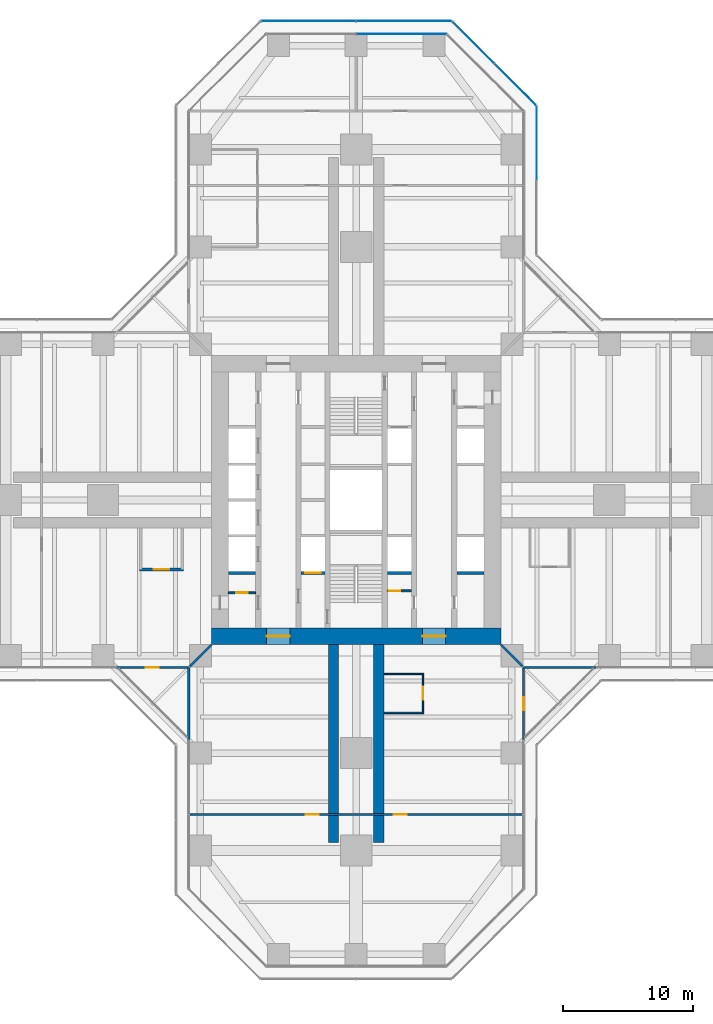
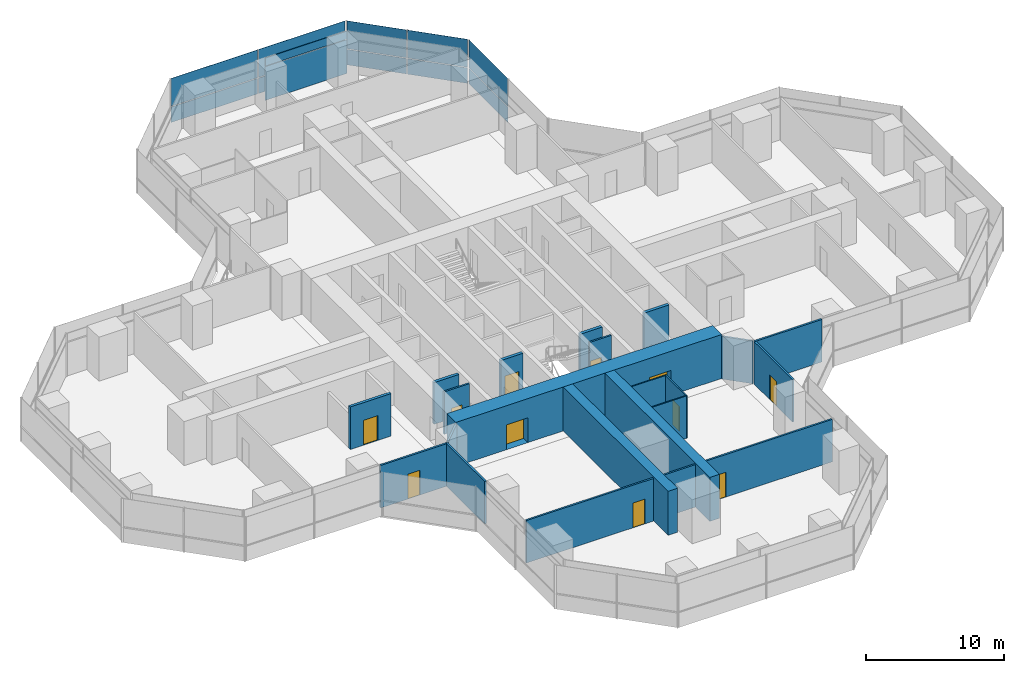
# One storey, part 17 of 22: 20 walls, 12 plates, 11 doors, 11 openings, 4 elements without a shape of their own.
"""IFC4 building model written with IfcOpenShell, lengths in metres."""

from ifc_helpers import new_model, si_unit, direction, frame, frame_2d, origin, origin_2d, place, context, subcontext, project, spatial, rectangle, extrude, material, layer, layer_set, type_object, element, fill, aggregate, save


model = new_model("IFC4")

# Units and contexts
model_context = context("Model", 3, precision=1e-05, world=origin(), true_north=direction((0.0, 1.0)))
body_context = subcontext(model_context, "Body", "Model", "MODEL_VIEW")
ifc_project = project(units=[si_unit("LENGTHUNIT", "METRE"), si_unit("AREAUNIT", "SQUARE_METRE"), si_unit("VOLUMEUNIT", "CUBIC_METRE"), si_unit("PLANEANGLEUNIT", "RADIAN"), si_unit("MASSUNIT", "GRAM", prefix="KILO")], contexts=[model_context])

# Site, building, storey
site_placement = place(None, origin())
site = spatial("IfcSite", under=ifc_project, at=site_placement, CompositionType="ELEMENT")
building_placement = place(site_placement, origin())
building = spatial("IfcBuilding", under=site, at=building_placement, Name="Mizan Broadcast Tower", CompositionType="ELEMENT")
storey_placement = place(building_placement, frame((0.0, 0.0, 109.800048828125)))
storey = spatial("IfcBuildingStorey", under=building, at=storey_placement, Name="L24", CompositionType="ELEMENT", Elevation=109.800048828125)

# Curtain wall, plates
ifc_material_1 = material(Name="Aluminium framed glazing", Category="aluminium")
curtain_wall_type_1 = type_object("IfcCurtainWallType", Name="INNER SKIN LOW ZONE", PredefinedType="USERDEFINED", material=ifc_material_1)
curtain_wall_1_placement = place(storey_placement, origin())
curtain_wall_1 = element("IfcCurtainWall", 1, at=curtain_wall_1_placement, inside=storey, type_object=curtain_wall_type_1, Name="Inner skin low zone L24 N end", ObjectType="INNER SKIN LOW ZONE", PredefinedType="USERDEFINED")
ifc_material_2 = material(Name="Double glazing, clear low-e", Category="glass")
ifc_layer_1 = layer(ifc_material_2, 0.028076171875)
ifc_layer_set_1 = layer_set([ifc_layer_1], Name="Double glazing, clear low-e")
plate_type_1 = type_object("IfcPlateType", Name="INNER SKIN GLAZING UNIT", PredefinedType="CURTAIN_PANEL", material=ifc_layer_set_1)
plate_1_placement = place(storey_placement, frame((3.46435546875, 35.89990234375, 0.0), z_axis=(0.0, 0.0, 1.0), x_axis=(-1.0, 0.0, 0.0)))
plate_1 = element("IfcPlate", 2, at=plate_1_placement, type_object=plate_type_1, Name="Inner skin low zone L24 N end panel 1.1", PredefinedType="CURTAIN_PANEL", context=body_context, shape_type="SweptSolid", body=[
    extrude(rectangle(XDim=6.86865234375, YDim=0.028076171875, at=origin_2d()), origin(), (0.0, 0.0, 1.0), 3.0),
])
ifc_material_3 = material(Name="Insulated aluminium spandrel panel, pale anodised", Category="aluminium")
ifc_layer_2 = layer(ifc_material_3, 0.050048828125)
ifc_layer_set_2 = layer_set([ifc_layer_2], Name="Insulated aluminium spandrel panel, pale anodised")
plate_type_2 = type_object("IfcPlateType", Name="INNER SKIN SPANDREL PANEL", PredefinedType="CURTAIN_PANEL", material=ifc_layer_set_2)
plate_2_placement = place(storey_placement, frame((3.46435546875, 35.89990234375, 3.06005859375), z_axis=(0.0, 0.0, 1.0), x_axis=(-1.0, 0.0, 0.0)))
plate_2 = element("IfcPlate", 3, at=plate_2_placement, type_object=plate_type_2, Name="Inner skin low zone L24 N end panel 1.2", PredefinedType="CURTAIN_PANEL", context=body_context, shape_type="SweptSolid", body=[
    extrude(rectangle(XDim=6.86865234375, YDim=0.050048828125, at=origin_2d()), origin(), (0.0, 0.0, 1.0), 0.7099609375),
])
aggregate(curtain_wall_1, [plate_1, plate_2])

ifc_material_4 = material(Name="Aluminium framed glazing", Category="aluminium")
curtain_wall_type_2 = type_object("IfcCurtainWallType", Name="OUTER SKIN", PredefinedType="USERDEFINED", material=ifc_material_4)
curtain_wall_2_placement = place(storey_placement, origin())
curtain_wall_2 = element("IfcCurtainWall", 4, at=curtain_wall_2_placement, inside=storey, type_object=curtain_wall_type_2, Name="Outer skin L24 N chamfer", ObjectType="OUTER SKIN", PredefinedType="USERDEFINED")
ifc_material_5 = material(Name="Laminated clear glass", Category="glass")
ifc_layer_3 = layer(ifc_material_5, 0.02001953125)
ifc_layer_set_3 = layer_set([ifc_layer_3], Name="Laminated clear glass")
plate_type_3 = type_object("IfcPlateType", Name="OUTER SKIN CLEAR GLASS", PredefinedType="CURTAIN_PANEL", material=ifc_layer_set_3)
plate_3_placement = place(storey_placement, frame((12.254150390625, 32.018798828125, 0.0), z_axis=(0.0, 0.0, 1.0), x_axis=(-0.707106781187, 0.707106781187, 0.0)))
plate_3 = element("IfcPlate", 5, at=plate_3_placement, type_object=plate_type_3, Name="Outer skin L24 N chamfer panel 1.1", PredefinedType="CURTAIN_PANEL", context=body_context, shape_type="SweptSolid", body=[
    extrude(rectangle(XDim=4.495361328125, YDim=0.02001953125, at=origin_2d()), origin(), (0.0, 0.0, 1.0), 1.3701171875),
])
plate_4_placement = place(storey_placement, frame((12.254150390625, 32.018798828125, 1.43017578125), z_axis=(0.0, 0.0, 1.0), x_axis=(-0.707106781187, 0.707106781187, 0.0)))
plate_4 = element("IfcPlate", 6, at=plate_4_placement, type_object=plate_type_3, Name="Outer skin L24 N chamfer panel 1.2", PredefinedType="CURTAIN_PANEL", context=body_context, shape_type="SweptSolid", body=[
    extrude(rectangle(XDim=4.495361328125, YDim=0.02001953125, at=origin_2d()), origin(), (0.0, 0.0, 1.0), 2.469970703125),
])

curtain_wall_3_placement = place(storey_placement, origin())
curtain_wall_3 = element("IfcCurtainWall", 7, at=curtain_wall_3_placement, inside=storey, type_object=curtain_wall_type_2, Name="Outer skin L24 N end", ObjectType="OUTER SKIN", PredefinedType="USERDEFINED")
plate_5_placement = place(storey_placement, frame((3.66650390625, 36.89990234375, 0.0), z_axis=(0.0, 0.0, 1.0), x_axis=(-1.0, 0.0, 0.0)))
plate_5 = element("IfcPlate", 8, at=plate_5_placement, type_object=plate_type_3, Name="Outer skin L24 N end panel 1.1", PredefinedType="CURTAIN_PANEL", context=body_context, shape_type="SweptSolid", body=[
    extrude(rectangle(XDim=7.252685546875, YDim=0.02001953125, at=origin_2d()), origin(), (0.0, 0.0, 1.0), 1.3701171875),
])
plate_6_placement = place(storey_placement, frame((3.66650390625, 36.89990234375, 1.43017578125), z_axis=(0.0, 0.0, 1.0), x_axis=(-1.0, 0.0, 0.0)))
plate_6 = element("IfcPlate", 9, at=plate_6_placement, type_object=plate_type_3, Name="Outer skin L24 N end panel 1.2", PredefinedType="CURTAIN_PANEL", context=body_context, shape_type="SweptSolid", body=[
    extrude(rectangle(XDim=7.252685546875, YDim=0.02001953125, at=origin_2d()), origin(), (0.0, 0.0, 1.0), 2.469970703125),
])
plate_7_placement = place(storey_placement, frame((-3.66650390625, 36.89990234375, 0.0), z_axis=(0.0, 0.0, 1.0), x_axis=(-1.0, 0.0, 0.0)))
plate_7 = element("IfcPlate", 10, at=plate_7_placement, type_object=plate_type_3, Name="Outer skin L24 N end panel 2.1", PredefinedType="CURTAIN_PANEL", context=body_context, shape_type="SweptSolid", body=[
    extrude(rectangle(XDim=7.252685546875, YDim=0.02001953125, at=origin_2d()), origin(), (0.0, 0.0, 1.0), 1.3701171875),
])
plate_8_placement = place(storey_placement, frame((-3.66650390625, 36.89990234375, 1.43017578125), z_axis=(0.0, 0.0, 1.0), x_axis=(-1.0, 0.0, 0.0)))
plate_8 = element("IfcPlate", 11, at=plate_8_placement, type_object=plate_type_3, Name="Outer skin L24 N end panel 2.2", PredefinedType="CURTAIN_PANEL", context=body_context, shape_type="SweptSolid", body=[
    extrude(rectangle(XDim=7.252685546875, YDim=0.02001953125, at=origin_2d()), origin(), (0.0, 0.0, 1.0), 2.469970703125),
])
aggregate(curtain_wall_3, [plate_5, plate_6, plate_7, plate_8])

curtain_wall_4_placement = place(storey_placement, origin())
curtain_wall_4 = element("IfcCurtainWall", 12, at=curtain_wall_4_placement, inside=storey, type_object=curtain_wall_type_2, Name="Outer skin L24 N side", ObjectType="OUTER SKIN", PredefinedType="USERDEFINED")
ifc_material_6 = material(Name="Perforated aluminium, pale anodised", Category="aluminium")
ifc_layer_4 = layer(ifc_material_6, 0.011962890625)
ifc_layer_set_4 = layer_set([ifc_layer_4], Name="Perforated aluminium, pale anodised")
plate_type_4 = type_object("IfcPlateType", Name="OUTER SKIN PERFORATED SCREEN", PredefinedType="USERDEFINED", material=ifc_layer_set_4)
plate_9_placement = place(storey_placement, frame((13.89990234375, 27.477783203125, 0.0), z_axis=(0.0, 0.0, 1.0), x_axis=(0.0, 1.0, 0.0)))
plate_9 = element("IfcPlate", 13, at=plate_9_placement, type_object=plate_type_4, Name="Outer skin L24 N side panel 2.1", ObjectType="SCREEN", PredefinedType="USERDEFINED", context=body_context, shape_type="SweptSolid", body=[
    extrude(rectangle(XDim=5.6298828125, YDim=0.011962890625, at=origin_2d()), origin(), (0.0, 0.0, 1.0), 1.3701171875),
])
plate_10_placement = place(storey_placement, frame((13.89990234375, 27.477783203125, 1.43017578125), z_axis=(0.0, 0.0, 1.0), x_axis=(0.0, 1.0, 0.0)))
plate_10 = element("IfcPlate", 14, at=plate_10_placement, type_object=plate_type_4, Name="Outer skin L24 N side panel 2.2", ObjectType="SCREEN", PredefinedType="USERDEFINED", context=body_context, shape_type="SweptSolid", body=[
    extrude(rectangle(XDim=5.6298828125, YDim=0.011962890625, at=origin_2d()), origin(), (0.0, 0.0, 1.0), 2.469970703125),
])
aggregate(curtain_wall_4, [plate_9, plate_10])

# Plate
plate_11_placement = place(storey_placement, frame((9.018798828125, 35.254150390625, 0.0), z_axis=(0.0, 0.0, 1.0), x_axis=(-0.707106781187, 0.707106781187, 0.0)))
plate_11 = element("IfcPlate", 15, at=plate_11_placement, type_object=plate_type_4, Name="Outer skin L24 N chamfer panel 2.1", ObjectType="SCREEN", PredefinedType="USERDEFINED", context=body_context, shape_type="SweptSolid", body=[
    extrude(rectangle(XDim=4.495361328125, YDim=0.011962890625, at=origin_2d()), origin(), (0.0, 0.0, 1.0), 1.3701171875),
])

plate_12_placement = place(storey_placement, frame((9.018798828125, 35.254150390625, 1.43017578125), z_axis=(0.0, 0.0, 1.0), x_axis=(-0.707106781187, 0.707106781187, 0.0)))
plate_12 = element("IfcPlate", 16, at=plate_12_placement, type_object=plate_type_4, Name="Outer skin L24 N chamfer panel 2.2", ObjectType="SCREEN", PredefinedType="USERDEFINED", context=body_context, shape_type="SweptSolid", body=[
    extrude(rectangle(XDim=4.495361328125, YDim=0.011962890625, at=origin_2d()), origin(), (0.0, 0.0, 1.0), 2.469970703125),
])

aggregate(curtain_wall_2, [plate_3, plate_4, plate_11, plate_12])

# Wall, opening, door
ifc_material_7 = material(Name="Concrete blockwork", Category="masonry")
ifc_layer_5 = layer(ifc_material_7, 0.14990234375)
ifc_layer_set_5 = layer_set([ifc_layer_5], Name="Concrete blockwork")
wall_type_1 = type_object("IfcWallType", Name="CORE PARTITION 150", PredefinedType="SOLIDWALL", material=ifc_layer_set_5)
wall_1_placement = place(storey_placement, frame((2.39990234375, -7.0, 0.0), z_axis=(0.0, 0.0, 1.0), x_axis=(1.0, 0.0, 0.0)))
wall_1 = element("IfcWall", 17, at=wall_1_placement, inside=storey, type_object=wall_type_1, Name="Core partition CORE/XPC", PredefinedType="SOLIDWALL", context=body_context, shape_type="SweptSolid", body=[
    extrude(rectangle(XDim=1.85009765625, YDim=0.14990234375, at=frame_2d((0.925048828125, 0.0))), origin(), (0.0, 0.0, 1.0), 3.77001953125),
])
opening_1_placement = place(wall_1_placement, frame((0.10009765625, 0.0, 0.0)))
opening_1 = element("IfcOpeningElement", 18, at=opening_1_placement, cuts=wall_1, Name="Opening D09F", PredefinedType="OPENING", context=body_context, shape_type="SweptSolid", body=[
    extrude(rectangle(XDim=0.89990234375, YDim=2.10009765625, at=frame_2d((0.449951171875, 1.050048828125))), frame((0.0, 0.0849609375, 0.0), z_axis=(0.0, -1.0, 0.0), x_axis=(1.0, 0.0, 0.0)), (0.0, 0.0, 1.0), 0.169921875),
])
ifc_material_8 = material(Name="Steel door leaf in steel frame", Category="steel")
door_type_1 = type_object("IfcDoorType", Name="CORE ROOM DOOR 900 FD90", OperationType="SINGLE_SWING_LEFT", PredefinedType="DOOR", material=ifc_material_8)
door_1_placement = place(opening_1_placement, origin())
door_1 = element("IfcDoor", 19, at=door_1_placement, inside=storey, type_object=door_type_1, Name="Cleaning materials store door", OperationType="SINGLE_SWING_LEFT", OverallHeight=2.10009765625, OverallWidth=0.89990234375, PredefinedType="DOOR", context=body_context, shape_type="SweptSolid", body=[
    extrude(rectangle(XDim=0.89990234375, YDim=2.10009765625, at=frame_2d((0.449951171875, 1.050048828125))), frame((0.0, 0.02490234375, 0.0), z_axis=(0.0, -1.0, 0.0), x_axis=(1.0, 0.0, 0.0)), (0.0, 0.0, 1.0), 0.050048828125),
])
fill(opening_1, door_1)

wall_2_placement = place(storey_placement, frame((-9.85009765625, -7.14990234375, 0.0), z_axis=(0.0, 0.0, 1.0), x_axis=(1.0, 0.0, 0.0)))
wall_2 = element("IfcWall", 20, at=wall_2_placement, inside=storey, type_object=wall_type_1, Name="Core partition CORE/XPW", PredefinedType="SOLIDWALL", context=body_context, shape_type="SweptSolid", body=[
    extrude(rectangle(XDim=2.10009765625, YDim=0.14990234375, at=frame_2d((1.050048828125, 0.0))), origin(), (0.0, 0.0, 1.0), 3.77001953125),
])
opening_2_placement = place(wall_2_placement, frame((0.60009765625, 0.0, 0.0)))
opening_2 = element("IfcOpeningElement", 21, at=opening_2_placement, cuts=wall_2, Name="Opening D09F", PredefinedType="OPENING", context=body_context, shape_type="SweptSolid", body=[
    extrude(rectangle(XDim=0.89990234375, YDim=2.10009765625, at=frame_2d((0.449951171875, 1.050048828125))), frame((0.0, 0.0849609375, 0.0), z_axis=(0.0, -1.0, 0.0), x_axis=(1.0, 0.0, 0.0)), (0.0, 0.0, 1.0), 0.169921875),
])
door_2_placement = place(opening_2_placement, origin())
door_2 = element("IfcDoor", 22, at=door_2_placement, inside=storey, type_object=door_type_1, Name="Fire hose reel cupboard door", OperationType="SINGLE_SWING_RIGHT", OverallHeight=2.10009765625, OverallWidth=0.89990234375, PredefinedType="DOOR", context=body_context, shape_type="SweptSolid", body=[
    extrude(rectangle(XDim=0.89990234375, YDim=2.10009765625, at=frame_2d((0.449951171875, 1.050048828125))), frame((0.0, 0.02490234375, 0.0), z_axis=(0.0, -1.0, 0.0), x_axis=(1.0, 0.0, 0.0)), (0.0, 0.0, 1.0), 0.050048828125),
])
fill(opening_2, door_2)

# Wall, openings, doors
ifc_material_9 = material(Name="Concrete C70/85", Category="concrete")
ifc_layer_6 = layer(ifc_material_9, 1.300048828125)
ifc_layer_set_6 = layer_set([ifc_layer_6], Name="Concrete C70/85")
wall_type_2 = type_object("IfcWallType", Name="CORE WALL 1300", PredefinedType="SHEAR", material=ifc_layer_set_6)
wall_3_placement = place(storey_placement, frame((11.14990234375, -10.5, 0.0), z_axis=(0.0, 0.0, 1.0), x_axis=(-1.0, 0.0, 0.0)))
wall_3 = element("IfcWall", 23, at=wall_3_placement, inside=storey, type_object=wall_type_2, Name="Core wall S L24", PredefinedType="SHEAR", context=body_context, shape_type="SweptSolid", body=[
    extrude(rectangle(XDim=22.2998046875, YDim=1.300048828125, at=frame_2d((11.14990234375, 0.0))), origin(), (0.0, 0.0, 1.0), 3.89990234375),
])
opening_3_placement = place(wall_3_placement, frame((16.25, 0.0, 0.0)))
opening_3 = element("IfcOpeningElement", 24, at=opening_3_placement, cuts=wall_3, Name="Opening D18F", PredefinedType="OPENING", context=body_context, shape_type="SweptSolid", body=[
    extrude(rectangle(XDim=1.800048828125, YDim=2.199951171875, at=frame_2d((0.89990234375, 1.10009765625))), frame((0.0, 0.659912109375, 0.0), z_axis=(0.0, -1.0, 0.0), x_axis=(1.0, 0.0, 0.0)), (0.0, 0.0, 1.0), 1.320068359375),
])
opening_4_placement = place(wall_3_placement, frame((4.25, 0.0, 0.0)))
opening_4 = element("IfcOpeningElement", 25, at=opening_4_placement, cuts=wall_3, Name="Opening D18F", PredefinedType="OPENING", context=body_context, shape_type="SweptSolid", body=[
    extrude(rectangle(XDim=1.800048828125, YDim=2.199951171875, at=frame_2d((0.89990234375, 1.10009765625))), frame((0.0, 0.659912109375, 0.0), z_axis=(0.0, -1.0, 0.0), x_axis=(1.0, 0.0, 0.0)), (0.0, 0.0, 1.0), 1.320068359375),
])
ifc_material_10 = material(Name="Steel door leaf in steel frame", Category="steel")
door_type_2 = type_object("IfcDoorType", Name="LOBBY DOUBLE DOOR 1800 FD90", OperationType="DOUBLE_DOOR_DOUBLE_SWING", PredefinedType="DOOR", material=ifc_material_10)
door_3_placement = place(opening_3_placement, origin())
door_3 = element("IfcDoor", 26, at=door_3_placement, inside=storey, type_object=door_type_2, Name="West lift lobby south door", OperationType="DOUBLE_DOOR_DOUBLE_SWING", OverallHeight=2.199951171875, OverallWidth=1.800048828125, PredefinedType="DOOR", context=body_context, shape_type="SweptSolid", body=[
    extrude(rectangle(XDim=1.800048828125, YDim=2.199951171875, at=frame_2d((0.89990234375, 1.10009765625))), frame((0.0, 0.02490234375, 0.0), z_axis=(0.0, -1.0, 0.0), x_axis=(1.0, 0.0, 0.0)), (0.0, 0.0, 1.0), 0.050048828125),
])
fill(opening_3, door_3)
door_4_placement = place(opening_4_placement, origin())
door_4 = element("IfcDoor", 27, at=door_4_placement, inside=storey, type_object=door_type_2, Name="East lift lobby south door", OperationType="DOUBLE_DOOR_DOUBLE_SWING", OverallHeight=2.199951171875, OverallWidth=1.800048828125, PredefinedType="DOOR", context=body_context, shape_type="SweptSolid", body=[
    extrude(rectangle(XDim=1.800048828125, YDim=2.199951171875, at=frame_2d((0.89990234375, 1.10009765625))), frame((0.0, 0.02490234375, 0.0), z_axis=(0.0, -1.0, 0.0), x_axis=(1.0, 0.0, 0.0)), (0.0, 0.0, 1.0), 0.050048828125),
])
fill(opening_4, door_4)

# Wall
ifc_material_11 = material(Name="Aluminium framed glazed screen", Category="aluminium")
ifc_layer_7 = layer(ifc_material_11, 0.159912109375)
ifc_layer_set_7 = layer_set([ifc_layer_7], Name="Aluminium framed glazed screen")
wall_type_3 = type_object("IfcWallType", Name="GLAZED SCREEN WALL 160", PredefinedType="SOLIDWALL", material=ifc_layer_set_7)
wall_4_placement = place(storey_placement, frame((12.89990234375, -12.89990234375, 0.0), z_axis=(0.0, 0.0, 1.0), x_axis=(1.0, 0.0, 0.0)))
element("IfcWall", 28, at=wall_4_placement, inside=storey, type_object=wall_type_3, Name="Winter garden screen L24 E", PredefinedType="SOLIDWALL", context=body_context, shape_type="SweptSolid", body=[
    extrude(rectangle(XDim=5.60009765625, YDim=0.159912109375, at=frame_2d((2.800048828125, 0.0))), origin(), (0.0, 0.0, 1.0), 3.77001953125),
])

# Wall, opening, door
wall_5_placement = place(storey_placement, frame((-18.5, -12.89990234375, 0.0), z_axis=(0.0, 0.0, 1.0), x_axis=(1.0, 0.0, 0.0)))
wall_5 = element("IfcWall", 29, at=wall_5_placement, inside=storey, type_object=wall_type_3, Name="Winter garden screen L24 W", PredefinedType="SOLIDWALL", context=body_context, shape_type="SweptSolid", body=[
    extrude(rectangle(XDim=5.60009765625, YDim=0.159912109375, at=frame_2d((2.800048828125, 0.0))), origin(), (0.0, 0.0, 1.0), 3.77001953125),
])
opening_5_placement = place(wall_5_placement, frame((2.300048828125, 0.0, 0.0)))
opening_5 = element("IfcOpeningElement", 30, at=opening_5_placement, cuts=wall_5, Name="Opening WGD", PredefinedType="OPENING", context=body_context, shape_type="SweptSolid", body=[
    extrude(rectangle(XDim=1.0, YDim=2.199951171875, at=frame_2d((0.5, 1.10009765625))), frame((0.0, 0.08984375, 0.0), z_axis=(0.0, -1.0, 0.0), x_axis=(1.0, 0.0, 0.0)), (0.0, 0.0, 1.0), 0.179931640625),
])
ifc_material_12 = material(Name="Aluminium framed glazed door", Category="aluminium")
door_type_3 = type_object("IfcDoorType", Name="WINTER GARDEN DOOR 1000 GLAZED", OperationType="SINGLE_SWING_LEFT", PredefinedType="DOOR", material=ifc_material_12)
door_5_placement = place(opening_5_placement, origin())
door_5 = element("IfcDoor", 31, at=door_5_placement, inside=storey, type_object=door_type_3, Name="Winter garden door L24 W", OperationType="SINGLE_SWING_RIGHT", OverallHeight=2.199951171875, OverallWidth=1.0, PredefinedType="DOOR", context=body_context, shape_type="SweptSolid", body=[
    extrude(rectangle(XDim=1.0, YDim=2.199951171875, at=frame_2d((0.5, 1.10009765625))), frame((0.0, 0.02490234375, 0.0), z_axis=(0.0, -1.0, 0.0), x_axis=(1.0, 0.0, 0.0)), (0.0, 0.0, 1.0), 0.050048828125),
])
fill(opening_5, door_5)

# Wall
wall_6_placement = place(storey_placement, frame((-12.89990234375, -12.89990234375, 0.0), z_axis=(0.0, 0.0, 1.0), x_axis=(0.0, -1.0, 0.0)))
element("IfcWall", 32, at=wall_6_placement, inside=storey, type_object=wall_type_3, Name="Winter garden screen L24 S", PredefinedType="SOLIDWALL", context=body_context, shape_type="SweptSolid", body=[
    extrude(rectangle(XDim=5.60009765625, YDim=0.159912109375, at=frame_2d((2.800048828125, 0.0))), origin(), (0.0, 0.0, 1.0), 3.77001953125),
])

# Wall, opening, door
wall_7_placement = place(storey_placement, frame((12.89990234375, -18.5, 0.0), z_axis=(0.0, 0.0, 1.0), x_axis=(0.0, 1.0, 0.0)))
wall_7 = element("IfcWall", 33, at=wall_7_placement, inside=storey, type_object=wall_type_3, Name="Winter garden screen L24 S", PredefinedType="SOLIDWALL", context=body_context, shape_type="SweptSolid", body=[
    extrude(rectangle(XDim=5.60009765625, YDim=0.159912109375, at=frame_2d((2.800048828125, 0.0))), origin(), (0.0, 0.0, 1.0), 3.77001953125),
])
opening_6_placement = place(wall_7_placement, frame((2.300048828125, 0.0, 0.0)))
opening_6 = element("IfcOpeningElement", 34, at=opening_6_placement, cuts=wall_7, Name="Opening WGD", PredefinedType="OPENING", context=body_context, shape_type="SweptSolid", body=[
    extrude(rectangle(XDim=1.0, YDim=2.199951171875, at=frame_2d((0.5, 1.10009765625))), frame((0.0, 0.08984375, 0.0), z_axis=(0.0, -1.0, 0.0), x_axis=(1.0, 0.0, 0.0)), (0.0, 0.0, 1.0), 0.179931640625),
])
door_6_placement = place(opening_6_placement, origin())
door_6 = element("IfcDoor", 35, at=door_6_placement, inside=storey, type_object=door_type_3, Name="Winter garden door L24 S", OperationType="SINGLE_SWING_RIGHT", OverallHeight=2.199951171875, OverallWidth=1.0, PredefinedType="DOOR", context=body_context, shape_type="SweptSolid", body=[
    extrude(rectangle(XDim=1.0, YDim=2.199951171875, at=frame_2d((0.5, 1.10009765625))), frame((0.0, 0.02490234375, 0.0), z_axis=(0.0, -1.0, 0.0), x_axis=(1.0, 0.0, 0.0)), (0.0, 0.0, 1.0), 0.050048828125),
])
fill(opening_6, door_6)

# Wall
ifc_material_13 = material(Name="Concrete blockwork", Category="masonry")
ifc_layer_8 = layer(ifc_material_13, 0.25)
ifc_layer_set_8 = layer_set([ifc_layer_8], Name="Concrete blockwork")
wall_type_4 = type_object("IfcWallType", Name="LOBBY ENCLOSURE WALL 250", PredefinedType="SOLIDWALL", material=ifc_layer_set_8)
wall_8_placement = place(storey_placement, frame((-9.85009765625, -5.625, 0.0), z_axis=(0.0, 0.0, 1.0), x_axis=(1.0, 0.0, 0.0)))
element("IfcWall", 36, at=wall_8_placement, inside=storey, type_object=wall_type_4, Name="Lobby enclosure wall CORE/BW1S", PredefinedType="SOLIDWALL", context=body_context, shape_type="SweptSolid", body=[
    extrude(rectangle(XDim=2.10009765625, YDim=0.25, at=frame_2d((1.050048828125, 0.0))), origin(), (0.0, 0.0, 1.0), 3.699951171875),
])

# Wall, opening, door
wall_9_placement = place(storey_placement, frame((-4.25, -5.625, 0.0), z_axis=(0.0, 0.0, 1.0), x_axis=(1.0, 0.0, 0.0)))
wall_9 = element("IfcWall", 37, at=wall_9_placement, inside=storey, type_object=wall_type_4, Name="Lobby enclosure wall CORE/BW2S", PredefinedType="SOLIDWALL", context=body_context, shape_type="SweptSolid", body=[
    extrude(rectangle(XDim=1.85009765625, YDim=0.25, at=frame_2d((0.925048828125, 0.0))), origin(), (0.0, 0.0, 1.0), 3.699951171875),
])
opening_7_placement = place(wall_9_placement, frame((0.324951171875, 0.0, 0.0)))
opening_7 = element("IfcOpeningElement", 38, at=opening_7_placement, cuts=wall_9, Name="Opening LDF", PredefinedType="OPENING", context=body_context, shape_type="SweptSolid", body=[
    extrude(rectangle(XDim=1.199951171875, YDim=2.199951171875, at=frame_2d((0.60009765625, 1.10009765625))), frame((0.0, 0.135009765625, 0.0), z_axis=(0.0, -1.0, 0.0), x_axis=(1.0, 0.0, 0.0)), (0.0, 0.0, 1.0), 0.27001953125),
])
ifc_material_14 = material(Name="Steel door leaf in steel frame", Category="steel")
door_type_4 = type_object("IfcDoorType", Name="FIREFIGHTING LIFT LANDING DOOR 1200", OperationType="SLIDING_TO_LEFT", PredefinedType="DOOR", material=ifc_material_14)
door_7_placement = place(opening_7_placement, origin())
door_7 = element("IfcDoor", 39, at=door_7_placement, inside=storey, type_object=door_type_4, Name="Landing door FF1", OperationType="SLIDING_TO_LEFT", OverallHeight=2.199951171875, OverallWidth=1.199951171875, PredefinedType="DOOR", context=body_context, shape_type="SweptSolid", body=[
    extrude(rectangle(XDim=1.199951171875, YDim=2.199951171875, at=frame_2d((0.60009765625, 1.10009765625))), frame((0.0, 0.02490234375, 0.0), z_axis=(0.0, -1.0, 0.0), x_axis=(1.0, 0.0, 0.0)), (0.0, 0.0, 1.0), 0.050048828125),
])
fill(opening_7, door_7)

# Walls
wall_10_placement = place(storey_placement, frame((2.39990234375, -5.625, 0.0), z_axis=(0.0, 0.0, 1.0), x_axis=(1.0, 0.0, 0.0)))
element("IfcWall", 40, at=wall_10_placement, inside=storey, type_object=wall_type_4, Name="Lobby enclosure wall CORE/BE2S", PredefinedType="SOLIDWALL", context=body_context, shape_type="SweptSolid", body=[
    extrude(rectangle(XDim=1.85009765625, YDim=0.25, at=frame_2d((0.925048828125, 0.0))), origin(), (0.0, 0.0, 1.0), 3.699951171875),
])
wall_11_placement = place(storey_placement, frame((7.75, -5.625, 0.0), z_axis=(0.0, 0.0, 1.0), x_axis=(1.0, 0.0, 0.0)))
element("IfcWall", 41, at=wall_11_placement, inside=storey, type_object=wall_type_4, Name="Lobby enclosure wall CORE/BE1S", PredefinedType="SOLIDWALL", context=body_context, shape_type="SweptSolid", body=[
    extrude(rectangle(XDim=2.10009765625, YDim=0.25, at=frame_2d((1.050048828125, 0.0))), origin(), (0.0, 0.0, 1.0), 3.699951171875),
])

# Wall, openings, doors
ifc_material_15 = material(Name="Gypsum board on steel studs", Category="steel")
ifc_layer_9 = layer(ifc_material_15, 0.14990234375)
ifc_layer_set_9 = layer_set([ifc_layer_9], Name="Gypsum board on steel studs")
wall_type_5 = type_object("IfcWallType", Name="PARTITION 150", PredefinedType="PARTITIONING", material=ifc_layer_set_9)
wall_12_placement = place(storey_placement, frame((-12.820068359375, -24.22900390625, 0.0), z_axis=(0.0, 0.0, 1.0), x_axis=(1.0, 0.0, 0.0)))
wall_12 = element("IfcWall", 42, at=wall_12_placement, inside=storey, type_object=wall_type_5, Name="Partition PT/SX1", PredefinedType="PARTITIONING", context=body_context, shape_type="SweptSolid", body=[
    extrude(rectangle(XDim=25.64013671875, YDim=0.14990234375, at=frame_2d((12.820068359375, 0.0))), origin(), (0.0, 0.0, 1.0), 3.77001953125),
])
opening_8_placement = place(wall_12_placement, frame((15.719970703125, 0.0, 0.0)))
opening_8 = element("IfcOpeningElement", 43, at=opening_8_placement, cuts=wall_12, Name="Opening D10", PredefinedType="OPENING", context=body_context, shape_type="SweptSolid", body=[
    extrude(rectangle(XDim=1.0, YDim=2.199951171875, at=frame_2d((0.5, 1.10009765625))), frame((0.0, 0.0849609375, 0.0), z_axis=(0.0, -1.0, 0.0), x_axis=(1.0, 0.0, 0.0)), (0.0, 0.0, 1.0), 0.169921875),
])
opening_9_placement = place(wall_12_placement, frame((8.919921875, 0.0, 0.0)))
opening_9 = element("IfcOpeningElement", 44, at=opening_9_placement, cuts=wall_12, Name="Opening D10", PredefinedType="OPENING", context=body_context, shape_type="SweptSolid", body=[
    extrude(rectangle(XDim=1.0, YDim=2.199951171875, at=frame_2d((0.5, 1.10009765625))), frame((0.0, 0.0849609375, 0.0), z_axis=(0.0, -1.0, 0.0), x_axis=(1.0, 0.0, 0.0)), (0.0, 0.0, 1.0), 0.169921875),
])
ifc_material_16 = material(Name="Timber door leaf in aluminium frame", Category="wood")
door_type_5 = type_object("IfcDoorType", Name="ROOM DOOR 1000", OperationType="SINGLE_SWING_LEFT", PredefinedType="DOOR", material=ifc_material_16)
door_8_placement = place(opening_8_placement, origin())
door_8 = element("IfcDoor", 45, at=door_8_placement, inside=storey, type_object=door_type_5, Name="Library door", OperationType="SINGLE_SWING_RIGHT", OverallHeight=2.199951171875, OverallWidth=1.0, PredefinedType="DOOR", context=body_context, shape_type="SweptSolid", body=[
    extrude(rectangle(XDim=1.0, YDim=2.199951171875, at=frame_2d((0.5, 1.10009765625))), frame((0.0, 0.02490234375, 0.0), z_axis=(0.0, -1.0, 0.0), x_axis=(1.0, 0.0, 0.0)), (0.0, 0.0, 1.0), 0.050048828125),
])
fill(opening_8, door_8)
door_9_placement = place(opening_9_placement, origin())
door_9 = element("IfcDoor", 46, at=door_9_placement, inside=storey, type_object=door_type_5, Name="Library door", OperationType="SINGLE_SWING_LEFT", OverallHeight=2.199951171875, OverallWidth=1.0, PredefinedType="DOOR", context=body_context, shape_type="SweptSolid", body=[
    extrude(rectangle(XDim=1.0, YDim=2.199951171875, at=frame_2d((0.5, 1.10009765625))), frame((0.0, 0.02490234375, 0.0), z_axis=(0.0, -1.0, 0.0), x_axis=(1.0, 0.0, 0.0)), (0.0, 0.0, 1.0), 0.050048828125),
])
fill(opening_9, door_9)

# Walls
for number, where, z_axis, x_axis, name in (
    (47, (-11.14990234375, -11.14990234375, 0.0), (0.0, 0.0, 1.0), (-0.707106781187, -0.707106781187, 0.0), "Partition PT/DGWS"),
    (48, (11.14990234375, -11.14990234375, 0.0), (0.0, 0.0, 1.0), (0.707106781187, -0.707106781187, 0.0), "Partition PT/DGES"),
):
    element("IfcWall", number, at=place(storey_placement, frame(where, z_axis=z_axis, x_axis=x_axis)), inside=storey, type_object=wall_type_5, Name=name, PredefinedType="PARTITIONING", context=body_context, shape_type="SweptSolid", body=[
        extrude(rectangle(XDim=2.362060546875, YDim=0.14990234375, at=frame_2d((1.18115234375, 0.0))), origin(), (0.0, 0.0, 1.0), 3.77001953125),
    ])

# Wall, opening, door
ifc_material_17 = material(Name="Twin steel stud acoustic partition, four layers of gypsum board", Category="steel")
ifc_layer_10 = layer(ifc_material_17, 0.22509765625)
ifc_layer_set_10 = layer_set([ifc_layer_10], Name="Twin steel stud acoustic partition, four layers of gypsum board")
wall_type_6 = type_object("IfcWallType", Name="PARTITION ACOUSTIC 225", PredefinedType="PARTITIONING", material=ifc_layer_set_10)
wall_13_placement = place(storey_placement, frame((-13.28759765625, -5.35009765625, 0.0), z_axis=(0.0, 0.0, 1.0), x_axis=(-1.0, 0.0, 0.0)))
wall_13 = element("IfcWall", 49, at=wall_13_placement, inside=storey, type_object=wall_type_6, Name="Acoustic partition PT/WKP0f", PredefinedType="PARTITIONING", context=body_context, shape_type="SweptSolid", body=[
    extrude(rectangle(XDim=3.4248046875, YDim=0.22509765625, at=frame_2d((1.71240234375, 0.0))), origin(), (0.0, 0.0, 1.0), 3.77001953125),
])
opening_10_placement = place(wall_13_placement, frame((1.112548828125, 0.0, 0.0)))
opening_10 = element("IfcOpeningElement", 50, at=opening_10_placement, cuts=wall_13, Name="Opening D12A", PredefinedType="OPENING", context=body_context, shape_type="SweptSolid", body=[
    extrude(rectangle(XDim=1.199951171875, YDim=2.199951171875, at=frame_2d((0.60009765625, 1.10009765625))), frame((0.0, 0.12255859375, 0.0), z_axis=(0.0, -1.0, 0.0), x_axis=(1.0, 0.0, 0.0)), (0.0, 0.0, 1.0), 0.2451171875),
])
ifc_material_18 = material(Name="Timber door leaf in aluminium frame", Category="wood")
door_type_6 = type_object("IfcDoorType", Name="ACOUSTIC DOOR 1200", OperationType="SINGLE_SWING_LEFT", PredefinedType="DOOR", material=ifc_material_18)
door_10_placement = place(opening_10_placement, origin())
door_10 = element("IfcDoor", 51, at=door_10_placement, inside=storey, type_object=door_type_6, Name="Recording booth door", OperationType="SINGLE_SWING_LEFT", OverallHeight=2.199951171875, OverallWidth=1.199951171875, PredefinedType="DOOR", context=body_context, shape_type="SweptSolid", body=[
    extrude(rectangle(XDim=1.199951171875, YDim=2.199951171875, at=frame_2d((0.60009765625, 1.10009765625))), frame((0.0, 0.02490234375, 0.0), z_axis=(0.0, -1.0, 0.0), x_axis=(1.0, 0.0, 0.0)), (0.0, 0.0, 1.0), 0.050048828125),
])
fill(opening_10, door_10)

# Walls
ifc_material_19 = material(Name="Glazed aluminium partition on aluminium track", Category="aluminium")
ifc_layer_11 = layer(ifc_material_19, 0.10009765625)
ifc_layer_set_11 = layer_set([ifc_layer_11], Name="Glazed aluminium partition on aluminium track")
wall_type_7 = type_object("IfcWallType", Name="PARTITION GLAZED OFFICE FRONT 100", PredefinedType="PARTITIONING", material=ifc_layer_set_11)
for number, where, z_axis, x_axis, name in (
    (52, (2.14990234375, -13.39990234375, 0.0), (0.0, 0.0, 1.0), (1.0, 0.0, 0.0), "Glazed office front PT/SKP0a"),
    (53, (2.14990234375, -16.39990234375, 0.0), (0.0, 0.0, 1.0), (1.0, 0.0, 0.0), "Glazed office front PT/SKP0b"),
):
    element("IfcWall", number, at=place(storey_placement, frame(where, z_axis=z_axis, x_axis=x_axis)), inside=storey, type_object=wall_type_7, Name=name, PredefinedType="PARTITIONING", context=body_context, shape_type="SweptSolid", body=[
        extrude(rectangle(XDim=3.0, YDim=0.10009765625, at=frame_2d((1.5, 0.0))), origin(), (0.0, 0.0, 1.0), 3.77001953125),
    ])

# Wall, opening, door
wall_14_placement = place(storey_placement, frame((5.14990234375, -13.35009765625, 0.0), z_axis=(0.0, 0.0, 1.0), x_axis=(0.0, -1.0, 0.0)))
wall_14 = element("IfcWall", 54, at=wall_14_placement, inside=storey, type_object=wall_type_7, Name="Glazed office front PT/SKP0f", PredefinedType="PARTITIONING", context=body_context, shape_type="SweptSolid", body=[
    extrude(rectangle(XDim=3.099853515625, YDim=0.10009765625, at=frame_2d((1.5498046875, 0.0))), origin(), (0.0, 0.0, 1.0), 3.77001953125),
])
opening_11_placement = place(wall_14_placement, frame((1.050048828125, 0.0, 0.0)))
opening_11 = element("IfcOpeningElement", 55, at=opening_11_placement, cuts=wall_14, Name="Opening D10O", PredefinedType="OPENING", context=body_context, shape_type="SweptSolid", body=[
    extrude(rectangle(XDim=1.0, YDim=2.199951171875, at=frame_2d((0.5, 1.10009765625))), frame((0.0, 0.06005859375, 0.0), z_axis=(0.0, -1.0, 0.0), x_axis=(1.0, 0.0, 0.0)), (0.0, 0.0, 1.0), 0.1201171875),
])
ifc_material_20 = material(Name="Timber door leaf in aluminium frame", Category="wood")
door_type_7 = type_object("IfcDoorType", Name="OFFICE DOOR 1000 GLAZED", OperationType="SINGLE_SWING_LEFT", PredefinedType="DOOR", material=ifc_material_20)
door_11_placement = place(opening_11_placement, origin())
door_11 = element("IfcDoor", 56, at=door_11_placement, inside=storey, type_object=door_type_7, Name="Pantry door", OperationType="SINGLE_SWING_LEFT", OverallHeight=2.199951171875, OverallWidth=1.0, PredefinedType="DOOR", context=body_context, shape_type="SweptSolid", body=[
    extrude(rectangle(XDim=1.0, YDim=2.199951171875, at=frame_2d((0.5, 1.10009765625))), frame((0.0, 0.02490234375, 0.0), z_axis=(0.0, -1.0, 0.0), x_axis=(1.0, 0.0, 0.0)), (0.0, 0.0, 1.0), 0.050048828125),
])
fill(opening_11, door_11)

# Walls
ifc_material_21 = material(Name="Concrete C70/85", Category="concrete")
ifc_layer_12 = layer(ifc_material_21, 0.800048828125)
ifc_layer_set_12 = layer_set([ifc_layer_12], Name="Concrete C70/85")
wall_type_8 = type_object("IfcWallType", Name="SPINE WALL 800", PredefinedType="SHEAR", material=ifc_layer_set_12)
for number, where, z_axis, x_axis, name in (
    (57, (-1.75, -11.14990234375, 0.0), (0.0, 0.0, 1.0), (0.0, -1.0, 0.0), "Spine wall SR L24"),
    (58, (1.75, -11.14990234375, 0.0), (0.0, 0.0, 1.0), (0.0, -1.0, 0.0), "Spine wall SL L24"),
):
    element("IfcWall", number, at=place(storey_placement, frame(where, z_axis=z_axis, x_axis=x_axis)), inside=storey, type_object=wall_type_8, Name=name, PredefinedType="SHEAR", context=body_context, shape_type="SweptSolid", body=[
        extrude(rectangle(XDim=15.25, YDim=0.800048828125, at=frame_2d((7.625, 0.0))), origin(), (0.0, 0.0, 1.0), 3.89990234375),
    ])

save(model, "model.ifc")
